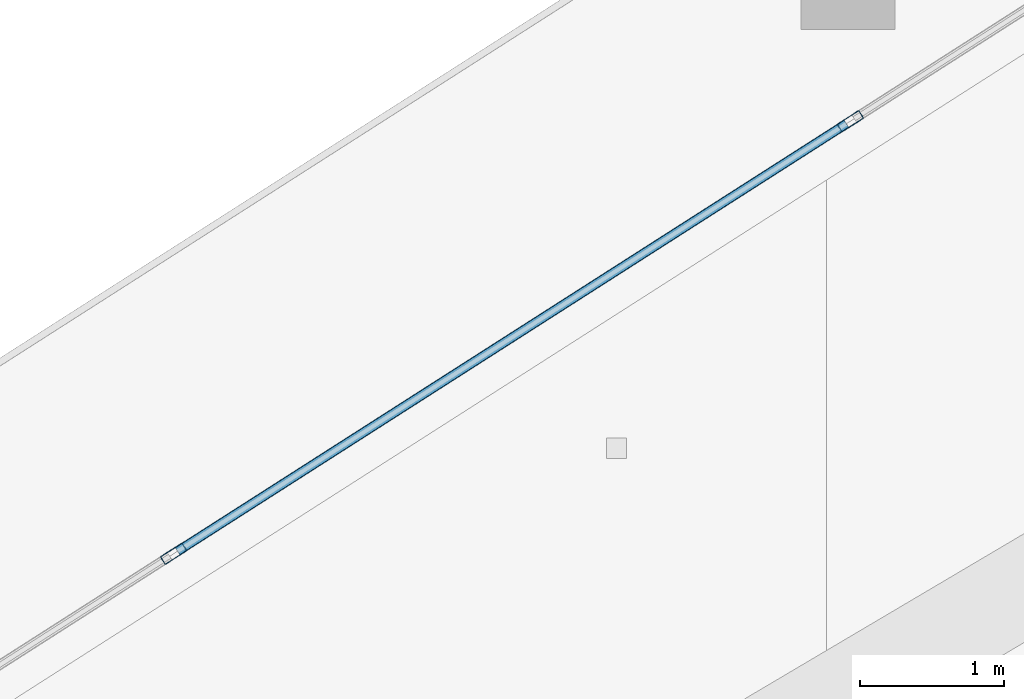
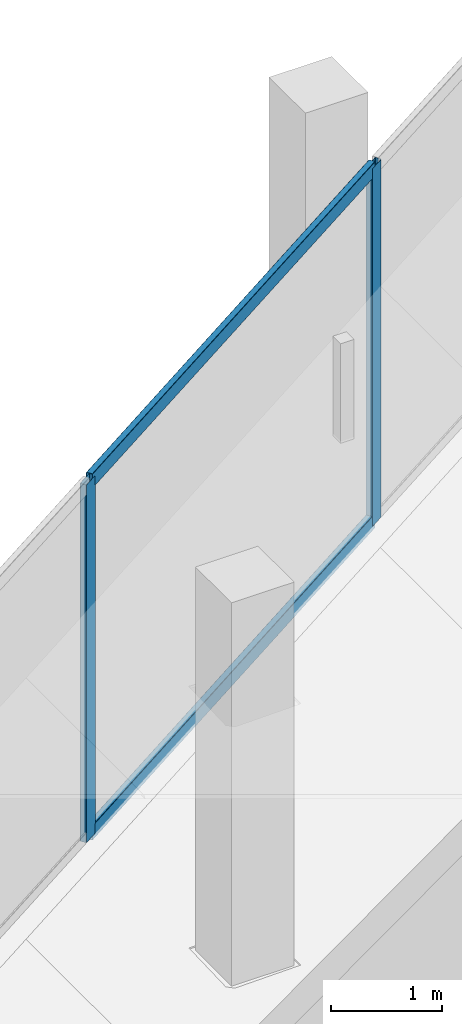
# One storey, part 16 of 46: 4 members, 1 element without a shape of its own.
"""IFC4 building model written with IfcOpenShell, lengths in metres."""

from ifc_helpers import new_model, si_unit, direction, frame, origin, origin_2d, place, context, subcontext, project, spatial, hollow_rectangle, extrude, material, layer, layer_set, material_profile, profile_set, type_object, element, aggregate, save


model = new_model("IFC4")

# Units and contexts
model_context = context("Model", 3, precision=1e-05, world=origin(), true_north=direction((0.0, 1.0)))
body_context = subcontext(model_context, "Body", "Model", "MODEL_VIEW")
ifc_project = project(units=[si_unit("LENGTHUNIT", "METRE"), si_unit("AREAUNIT", "SQUARE_METRE"), si_unit("VOLUMEUNIT", "CUBIC_METRE"), si_unit("PLANEANGLEUNIT", "RADIAN"), si_unit("MASSUNIT", "GRAM", prefix="KILO")], contexts=[model_context])

# Site, building, storey
site_placement = place(None, origin())
site = spatial("IfcSite", under=ifc_project, at=site_placement, CompositionType="ELEMENT")
building_placement = place(site_placement, origin())
building = spatial("IfcBuilding", under=site, at=building_placement, Name="Qorvath Tower", CompositionType="ELEMENT")
storey_placement = place(building_placement, frame((0.0, 0.0, 87.0)))
storey = spatial("IfcBuildingStorey", under=building, at=storey_placement, Name="L19", CompositionType="ELEMENT", Elevation=87.0)

# Curtain wall, members
ifc_material_1 = material(Name="Anodised aluminium and triple low-E glass", Category="aluminium")
ifc_layer = layer(ifc_material_1, 0.179931640625)
ifc_layer_set = layer_set([ifc_layer], Name="CW-SYS-2")
curtain_wall_type = type_object("IfcCurtainWallType", Name="CW-SYS-2", PredefinedType="NOTDEFINED", material=ifc_layer_set)
curtain_wall_placement = place(storey_placement, origin())
curtain_wall = element("IfcCurtainWall", 1, at=curtain_wall_placement, inside=storey, type_object=curtain_wall_type, Name="Curtain Wall CW-2 CW-T-L19-16.3", PredefinedType="NOTDEFINED")
ifc_material_2 = material(Name="Anodised aluminium 6063-T6", Category="aluminium")
ifc_material_profile_1 = material_profile(ifc_material_2, hollow_rectangle(XDim=0.06494140625, YDim=0.179931640625, WallThickness=0.00341796875, InnerFilletRadius=0.00341796875, OuterFilletRadius=0.007080078125, at=origin_2d()), Name="CWM 180x65")
ifc_profile_set_1 = profile_set([ifc_material_profile_1], Name="Anodised aluminium 6063-T6")
member_type_1 = type_object("IfcMemberType", Name="CWM-180", PredefinedType="MULLION", material=ifc_profile_set_1)
member_1_placement = place(storey_placement, frame((-40.316162109375, 15.99560546875, 0.0), z_axis=(0.0, 0.0, 1.0), x_axis=(0.538527563, -0.842607894509, 0.0)))
member_1 = element("IfcMember", 2, at=member_1_placement, type_object=member_type_1, Name="CW-2 mullion 2", PredefinedType="MULLION", context=body_context, shape_type="SweptSolid", body=[
    extrude(hollow_rectangle(XDim=0.06494140625, YDim=0.179931640625, WallThickness=0.00341796875, InnerFilletRadius=0.00341796875, OuterFilletRadius=0.007080078125, at=origin_2d()), origin(), (0.0, 0.0, 1.0), 3.919921875),
])
member_2_placement = place(storey_placement, frame((-45.0107421875, 12.995361328125, 0.0), z_axis=(0.0, 0.0, 1.0), x_axis=(0.538527563, -0.842607894509, 0.0)))
member_2 = element("IfcMember", 3, at=member_2_placement, type_object=member_type_1, Name="CW-2 mullion 3", PredefinedType="MULLION", context=body_context, shape_type="SweptSolid", body=[
    extrude(hollow_rectangle(XDim=0.06494140625, YDim=0.179931640625, WallThickness=0.00341796875, InnerFilletRadius=0.00341796875, OuterFilletRadius=0.007080078125, at=origin_2d()), origin(), (0.0, 0.0, 1.0), 3.919921875),
])
ifc_material_3 = material(Name="Anodised aluminium 6063-T6", Category="aluminium")
ifc_material_profile_2 = material_profile(ifc_material_3, hollow_rectangle(XDim=0.06494140625, YDim=0.159912109375, WallThickness=0.00341796875, InnerFilletRadius=0.00341796875, OuterFilletRadius=0.007080078125, at=origin_2d()), Name="CWT 160x65")
ifc_profile_set_2 = profile_set([ifc_material_profile_2], Name="Anodised aluminium 6063-T6")
member_type_2 = type_object("IfcMemberType", Name="CWT-160", PredefinedType="USERDEFINED", material=ifc_profile_set_2)
member_3_placement = place(storey_placement, frame((-40.343505859375, 15.978271484375, 0.032470703125), z_axis=(-0.842597346925, -0.538544065935, 0.0), x_axis=(0.538544065935, -0.842597346925, 0.0)))
member_3 = element("IfcMember", 4, at=member_3_placement, type_object=member_type_2, Name="CW-2 transom 2.1", ObjectType="TRANSOM", PredefinedType="USERDEFINED", context=body_context, shape_type="SweptSolid", body=[
    extrude(hollow_rectangle(XDim=0.06494140625, YDim=0.159912109375, WallThickness=0.00341796875, InnerFilletRadius=0.00341796875, OuterFilletRadius=0.007080078125, at=origin_2d()), origin(), (0.0, 0.0, 1.0), 5.506591796875),
])
member_4_placement = place(storey_placement, frame((-40.343505859375, 15.978271484375, 3.887451171875), z_axis=(-0.842597346925, -0.538544065935, 0.0), x_axis=(0.538544065935, -0.842597346925, 0.0)))
member_4 = element("IfcMember", 5, at=member_4_placement, type_object=member_type_2, Name="CW-2 transom 2.2", ObjectType="TRANSOM", PredefinedType="USERDEFINED", context=body_context, shape_type="SweptSolid", body=[
    extrude(hollow_rectangle(XDim=0.06494140625, YDim=0.159912109375, WallThickness=0.00341796875, InnerFilletRadius=0.00341796875, OuterFilletRadius=0.007080078125, at=origin_2d()), origin(), (0.0, 0.0, 1.0), 5.506591796875),
])
aggregate(curtain_wall, [member_1, member_2, member_3, member_4])

save(model, "model.ifc")
